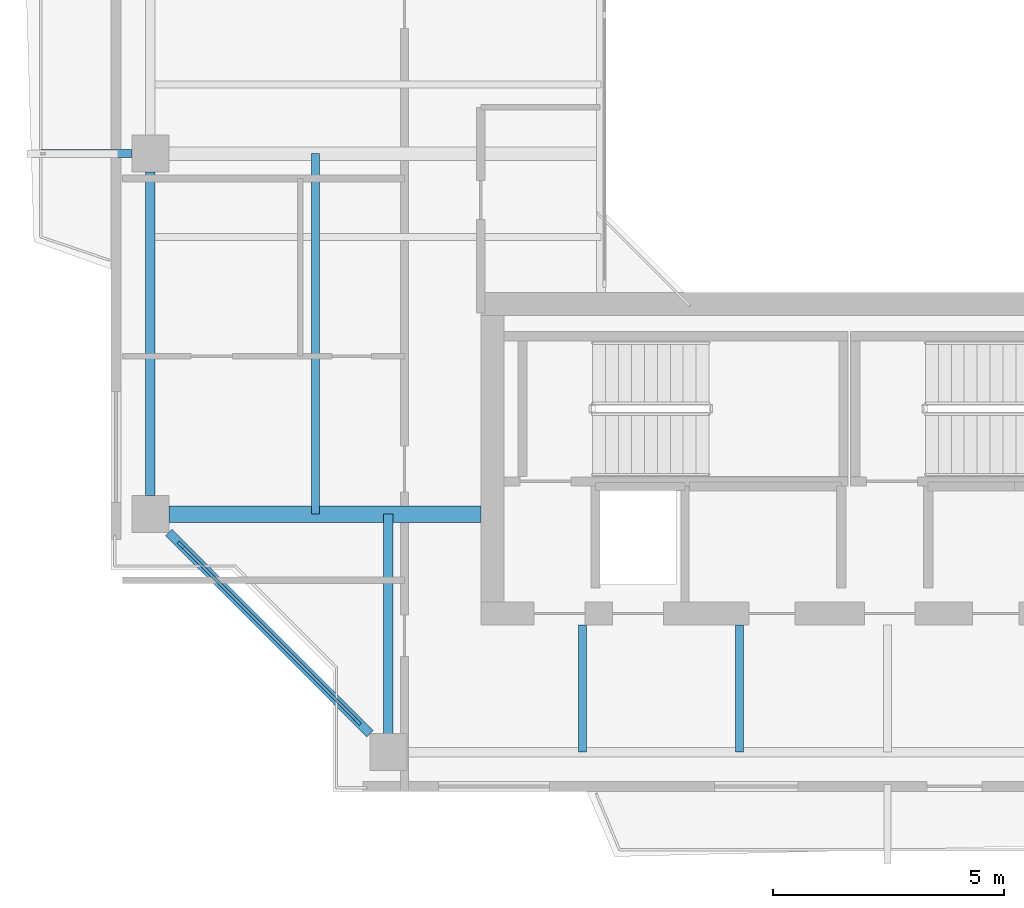
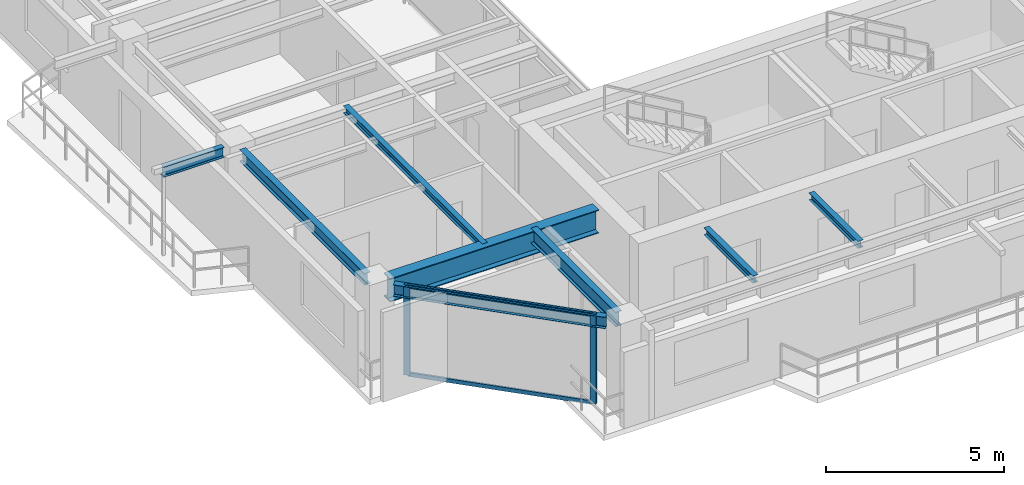
# One storey, part 2 of 15: 8 beams, 4 members, 1 element without a shape of its own.
"""IFC4 building model written with IfcOpenShell, lengths in metres."""

from ifc_helpers import new_model, si_unit, direction, frame, origin, origin_2d, place, context, subcontext, project, spatial, rectangle, i_section, extrude, source, transform, mapped, material, layer, layer_set, material_profile, profile_set, type_object, element, aggregate, save


model = new_model("IFC4")

# Units and contexts
model_context = context("Model", 3, precision=1e-05, world=origin(), true_north=direction((0.0, 1.0)))
body_context = subcontext(model_context, "Body", "Model", "MODEL_VIEW")
ifc_project = project(units=[si_unit("LENGTHUNIT", "METRE"), si_unit("AREAUNIT", "SQUARE_METRE"), si_unit("VOLUMEUNIT", "CUBIC_METRE"), si_unit("PLANEANGLEUNIT", "RADIAN"), si_unit("MASSUNIT", "GRAM", prefix="KILO"), si_unit("THERMODYNAMICTEMPERATUREUNIT", "KELVIN"), si_unit("POWERUNIT", "WATT")], contexts=[model_context])

# Site, building, storey
site_placement = place(None, origin())
site = spatial("IfcSite", under=ifc_project, at=site_placement, CompositionType="ELEMENT")
building_placement = place(site_placement, origin())
building = spatial("IfcBuilding", under=site, at=building_placement, Name="Qiaomeng Ring Towers", CompositionType="ELEMENT")
storey_placement = place(building_placement, frame((0.0, 0.0, 200.25)))
storey = spatial("IfcBuildingStorey", under=building, at=storey_placement, Name="L58", CompositionType="ELEMENT", Elevation=200.25)

# Beams
ifc_material_1 = material(Name="Steel Q355B", Category="steel")
ifc_material_profile_1 = material_profile(ifc_material_1, i_section(OverallWidth=0.198974609375, OverallDepth=0.39599609375, WebThickness=0.007080078125, FlangeThickness=0.010986328125, FilletRadius=0.01611328125, at=origin_2d()), Name="HN 396x199x7x11")
ifc_profile_set_1 = profile_set([ifc_material_profile_1], Name="Steel Q355B")
beam_type_1 = type_object("IfcBeamType", Name="STR-BM-HN396", PredefinedType="SPANDREL", material=ifc_profile_set_1)
shared_shape_1 = source(origin(), body_context, "Body", "SweptSolid", [
    extrude(i_section(OverallWidth=0.198974609375, OverallDepth=0.39599609375, WebThickness=0.007080078125, FlangeThickness=0.010986328125, FilletRadius=0.01611328125, at=origin_2d()), origin(), (0.0, 0.0, 1.0), 6.154052734375),
])
beam_1_placement = place(storey_placement, frame((3.44921875, 11.80078125, 2.8720703125), z_axis=(0.707106781187, -0.707106781187, 0.0), x_axis=(0.707106781187, 0.707106781187, 0.0)))
element("IfcBeam", 1, at=beam_1_placement, inside=storey, type_object=beam_type_1, Name="L58 beam STR-SP-L58-T1-W1-S1", PredefinedType="SPANDREL", context=body_context, shape_type="MappedRepresentation", body=[
    mapped(shared_shape_1, transform((0.0, 0.0, 0.0), x_axis=(1.0, 0.0, 0.0), y_axis=(0.0, 1.0, 0.0), z_axis=(0.0, 0.0, 1.0), scale=1.0)),
])
shared_shape_2 = source(origin(), body_context, "Body", "SweptSolid", [
    extrude(i_section(OverallWidth=0.198974609375, OverallDepth=0.39599609375, WebThickness=0.007080078125, FlangeThickness=0.010986328125, FilletRadius=0.01611328125, at=origin_2d()), origin(), (0.0, 0.0, 1.0), 7.001953125),
])
beam_2_placement = place(storey_placement, frame((3.050048828125, 19.60107421875, 2.8720703125), z_axis=(0.0, -1.0, 0.0), x_axis=(1.0, 0.0, 0.0)))
element("IfcBeam", 2, at=beam_2_placement, inside=storey, type_object=beam_type_1, Name="L58 beam STR-SP-L58-T1-W2-W1", PredefinedType="SPANDREL", context=body_context, shape_type="MappedRepresentation", body=[
    mapped(shared_shape_2, transform((0.0, 0.0, 0.0), x_axis=(1.0, 0.0, 0.0), y_axis=(0.0, 1.0, 0.0), z_axis=(0.0, 0.0, 1.0), scale=1.0)),
])
ifc_material_2 = material(Name="Steel Q390GJC", Category="steel")
ifc_material_profile_2 = material_profile(ifc_material_2, i_section(OverallWidth=0.35009765625, OverallDepth=0.800048828125, WebThickness=0.01611328125, FlangeThickness=0.028076171875, at=origin_2d()), Name="WH 800x350x16x28")
ifc_profile_set_2 = profile_set([ifc_material_profile_2], Name="Steel Q390GJC")
beam_type_2 = type_object("IfcBeamType", Name="STR-BM-WH800", PredefinedType="BEAM", material=ifc_profile_set_2)
shared_shape_3 = source(origin(), body_context, "Body", "SweptSolid", [
    extrude(i_section(OverallWidth=0.35009765625, OverallDepth=0.800048828125, WebThickness=0.01611328125, FlangeThickness=0.028076171875, at=origin_2d()), origin(), (0.0, 0.0, 1.0), 6.7509765625),
])
beam_3_placement = place(storey_placement, frame((3.448974609375, 12.199951171875, 2.669921875), z_axis=(1.0, 0.0, 0.0), x_axis=(0.0, 1.0, 0.0)))
element("IfcBeam", 3, at=beam_3_placement, inside=storey, type_object=beam_type_2, Name="L58 beam STR-BM-L58-T1-RAD-W1", PredefinedType="BEAM", context=body_context, shape_type="MappedRepresentation", body=[
    mapped(shared_shape_3, transform((0.0, 0.0, 0.0), x_axis=(1.0, 0.0, 0.0), y_axis=(0.0, 1.0, 0.0), z_axis=(0.0, 0.0, 1.0), scale=1.0)),
])
ifc_material_profile_3 = material_profile(ifc_material_1, i_section(OverallWidth=0.199951171875, OverallDepth=0.5, WebThickness=0.010009765625, FlangeThickness=0.01611328125, FilletRadius=0.02001953125, at=origin_2d()), Name="HN 500x200x10x16")
ifc_profile_set_3 = profile_set([ifc_material_profile_3], Name="Steel Q355B")
beam_type_3 = type_object("IfcBeamType", Name="STR-BM-HN500", PredefinedType="BEAM", material=ifc_profile_set_3)
shared_shape_4 = source(origin(), body_context, "Body", "SweptSolid", [
    extrude(i_section(OverallWidth=0.199951171875, OverallDepth=0.5, WebThickness=0.010009765625, FlangeThickness=0.01611328125, FilletRadius=0.02001953125, at=origin_2d()), origin(), (0.0, 0.0, 1.0), 4.7509765625),
])
beam_4_placement = place(storey_placement, frame((8.199951171875, 7.448974609375, 2.820068359375), z_axis=(0.0, 1.0, 0.0), x_axis=(-1.0, 0.0, 0.0)))
element("IfcBeam", 4, at=beam_4_placement, inside=storey, type_object=beam_type_3, Name="L58 beam STR-BM-L58-T1-RAD-S1", PredefinedType="BEAM", context=body_context, shape_type="MappedRepresentation", body=[
    mapped(shared_shape_4, transform((0.0, 0.0, 0.0), x_axis=(1.0, 0.0, 0.0), y_axis=(0.0, 1.0, 0.0), z_axis=(0.0, 0.0, 1.0), scale=1.0)),
])
ifc_material_profile_4 = material_profile(ifc_material_1, i_section(OverallWidth=0.175048828125, OverallDepth=0.35009765625, WebThickness=0.007080078125, FlangeThickness=0.010986328125, FilletRadius=0.013916015625, at=origin_2d()), Name="HN 350x175x7x11")
ifc_profile_set_4 = profile_set([ifc_material_profile_4], Name="Steel Q355B")
beam_type_4 = type_object("IfcBeamType", Name="STR-BM-HN350", PredefinedType="JOIST", material=ifc_profile_set_4)
shared_shape_5 = source(origin(), body_context, "Body", "SweptSolid", [
    extrude(i_section(OverallWidth=0.175048828125, OverallDepth=0.35009765625, WebThickness=0.007080078125, FlangeThickness=0.010986328125, FilletRadius=0.013916015625, at=origin_2d()), origin(), (0.0, 0.0, 1.0), 1.970947265625),
])
beam_5_placement = place(storey_placement, frame((0.679931640625, 20.0, 2.89501953125), z_axis=(1.0, 0.0, 0.0), x_axis=(0.0, 1.0, 0.0)))
element("IfcBeam", 5, at=beam_5_placement, inside=storey, type_object=beam_type_4, Name="L58 beam STR-BALBM-L58-W2", PredefinedType="JOIST", context=body_context, shape_type="MappedRepresentation", body=[
    mapped(shared_shape_5, transform((0.0, 0.0, 0.0), x_axis=(1.0, 0.0, 0.0), y_axis=(0.0, 1.0, 0.0), z_axis=(0.0, 0.0, 1.0), scale=1.0)),
])
ifc_material_profile_5 = material_profile(ifc_material_1, i_section(OverallWidth=0.175048828125, OverallDepth=0.243896484375, WebThickness=0.007080078125, FlangeThickness=0.010986328125, FilletRadius=0.01611328125, at=origin_2d()), Name="HM 244x175x7x11")
ifc_profile_set_5 = profile_set([ifc_material_profile_5], Name="Steel Q355B")
beam_type_5 = type_object("IfcBeamType", Name="STR-BM-HM244", PredefinedType="JOIST", material=ifc_profile_set_5)
shared_shape_6 = source(origin(), body_context, "Body", "SweptSolid", [
    extrude(i_section(OverallWidth=0.175048828125, OverallDepth=0.243896484375, WebThickness=0.007080078125, FlangeThickness=0.010986328125, FilletRadius=0.01611328125, at=origin_2d()), origin(), (0.0, 0.0, 1.0), 2.75),
])
for number, where, z_axis, x_axis, name in (
    (6, (12.39990234375, 7.050048828125, 2.947998046875), (0.0, 1.0, 0.0), (-1.0, 0.0, 0.0), "L58 beam STR-JST-L58-T1S-1"),
    (7, (15.800048828125, 7.050048828125, 2.947998046875), (0.0, 1.0, 0.0), (-1.0, 0.0, 0.0), "L58 beam STR-JST-L58-T1S-2"),
):
    element("IfcBeam", number, at=place(storey_placement, frame(where, z_axis=z_axis, x_axis=x_axis)), inside=storey, type_object=beam_type_5, Name=name, PredefinedType="JOIST", context=body_context, shape_type="MappedRepresentation", body=[
        mapped(shared_shape_6, transform((0.0, 0.0, 0.0), x_axis=(1.0, 0.0, 0.0), y_axis=(0.0, 1.0, 0.0), z_axis=(0.0, 0.0, 1.0), scale=1.0)),
    ])
shared_shape_7 = source(origin(), body_context, "Body", "SweptSolid", [
    extrude(i_section(OverallWidth=0.175048828125, OverallDepth=0.243896484375, WebThickness=0.007080078125, FlangeThickness=0.010986328125, FilletRadius=0.01611328125, at=origin_2d()), origin(), (0.0, 0.0, 1.0), 7.800048828125),
])
beam_6_placement = place(storey_placement, frame((6.625, 12.199951171875, 2.947998046875), z_axis=(0.0, 1.0, 0.0), x_axis=(-1.0, 0.0, 0.0)))
element("IfcBeam", 8, at=beam_6_placement, inside=storey, type_object=beam_type_5, Name="L58 beam STR-JST-L58-T1C-WS", PredefinedType="JOIST", context=body_context, shape_type="MappedRepresentation", body=[
    mapped(shared_shape_7, transform((0.0, 0.0, 0.0), x_axis=(1.0, 0.0, 0.0), y_axis=(0.0, 1.0, 0.0), z_axis=(0.0, 0.0, 1.0), scale=1.0)),
])

# Curtain wall, members
ifc_material_3 = material(Name="Fluorocarbon dark-grey aluminium", Category="aluminium")
ifc_layer = layer(ifc_material_3, 0.14990234375, Name="Fluorocarbon dark-grey aluminium")
ifc_layer_set = layer_set([ifc_layer], Name="Fluorocarbon dark-grey aluminium")
curtain_wall_type = type_object("IfcCurtainWallType", Name="ARC-CW-3", PredefinedType="NOTDEFINED", material=ifc_layer_set)
curtain_wall_placement = place(storey_placement, origin())
curtain_wall = element("IfcCurtainWall", 9, at=curtain_wall_placement, inside=storey, type_object=curtain_wall_type, Name="L58 Curtain Wall CW3", PredefinedType="NOTDEFINED")
ifc_material_profile_6 = material_profile(ifc_material_3, rectangle(XDim=0.070068359375, YDim=0.179931640625, at=origin_2d()), Name="ALU MULL 70x180")
ifc_profile_set_6 = profile_set([ifc_material_profile_6], Name="Fluorocarbon dark-grey aluminium")
member_type_1 = type_object("IfcMemberType", Name="ARC-CWM-160", PredefinedType="MULLION", material=ifc_profile_set_6)
shared_shape_8 = source(origin(), body_context, "Body", "SweptSolid", [
    extrude(rectangle(XDim=0.070068359375, YDim=0.179931640625, at=origin_2d()), origin(), (0.0, 0.0, 1.0), 3.070068359375),
])
member_1_placement = place(storey_placement, frame((3.71484375, 11.53515625, 0.0), z_axis=(0.0, 0.0, 1.0), x_axis=(0.707106781187, 0.707106781187, 0.0)))
member_1 = element("IfcMember", 10, at=member_1_placement, type_object=member_type_1, Name="CW3 mullion 1", PredefinedType="MULLION", context=body_context, shape_type="MappedRepresentation", body=[
    mapped(shared_shape_8, transform((0.0, 0.0, 0.0), x_axis=(1.0, 0.0, 0.0), y_axis=(0.0, 1.0, 0.0), z_axis=(0.0, 0.0, 1.0), scale=1.0)),
])
member_2_placement = place(storey_placement, frame((7.53515625, 7.71484375, 0.0), z_axis=(0.0, 0.0, 1.0), x_axis=(0.707106781187, 0.707106781187, 0.0)))
member_2 = element("IfcMember", 11, at=member_2_placement, type_object=member_type_1, Name="CW3 mullion 2", PredefinedType="MULLION", context=body_context, shape_type="MappedRepresentation", body=[
    mapped(shared_shape_8, transform((0.0, 0.0, 0.0), x_axis=(1.0, 0.0, 0.0), y_axis=(0.0, 1.0, 0.0), z_axis=(0.0, 0.0, 1.0), scale=1.0)),
])
ifc_material_profile_7 = material_profile(ifc_material_3, rectangle(XDim=0.06494140625, YDim=0.1298828125, at=origin_2d()), Name="ALU TRAN 65x130")
ifc_profile_set_7 = profile_set([ifc_material_profile_7], Name="Fluorocarbon dark-grey aluminium")
member_type_2 = type_object("IfcMemberType", Name="ARC-CWT-120", PredefinedType="USERDEFINED", material=ifc_profile_set_7)
shared_shape_9 = source(origin(), body_context, "Body", "SweptSolid", [
    extrude(rectangle(XDim=0.06494140625, YDim=0.1298828125, at=origin_2d()), origin(), (0.0, 0.0, 1.0), 5.3330078125),
])
member_3_placement = place(storey_placement, frame((3.739501953125, 11.510498046875, 0.032470703125), z_axis=(0.707106781187, -0.707106781187, 0.0), x_axis=(0.707106781187, 0.707106781187, 0.0)))
member_3 = element("IfcMember", 12, at=member_3_placement, type_object=member_type_2, Name="CW3 transom 1.1", ObjectType="TRANSOM", PredefinedType="USERDEFINED", context=body_context, shape_type="MappedRepresentation", body=[
    mapped(shared_shape_9, transform((0.0, 0.0, 0.0), x_axis=(1.0, 0.0, 0.0), y_axis=(0.0, 1.0, 0.0), z_axis=(0.0, 0.0, 1.0), scale=1.0)),
])
member_4_placement = place(storey_placement, frame((3.739501953125, 11.510498046875, 3.03759765625), z_axis=(0.707106781187, -0.707106781187, 0.0), x_axis=(0.707106781187, 0.707106781187, 0.0)))
member_4 = element("IfcMember", 13, at=member_4_placement, type_object=member_type_2, Name="CW3 transom 1.2", ObjectType="TRANSOM", PredefinedType="USERDEFINED", context=body_context, shape_type="MappedRepresentation", body=[
    mapped(shared_shape_9, transform((0.0, 0.0, 0.0), x_axis=(1.0, 0.0, 0.0), y_axis=(0.0, 1.0, 0.0), z_axis=(0.0, 0.0, 1.0), scale=1.0)),
])
aggregate(curtain_wall, [member_1, member_2, member_3, member_4])

save(model, "model.ifc")
